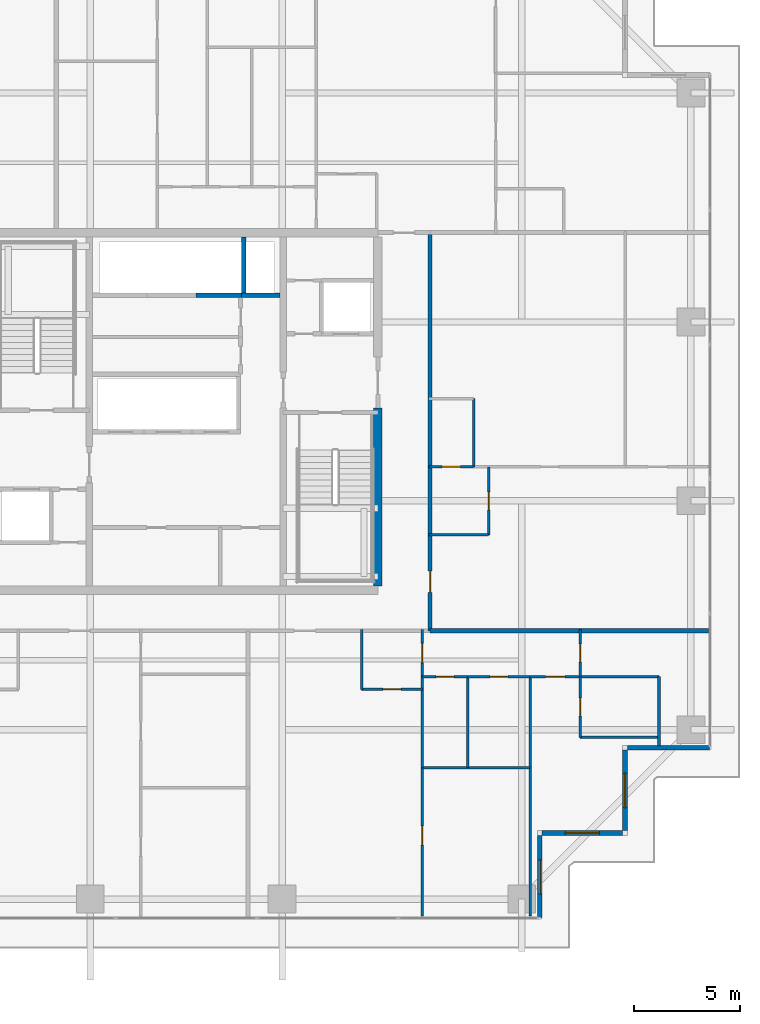
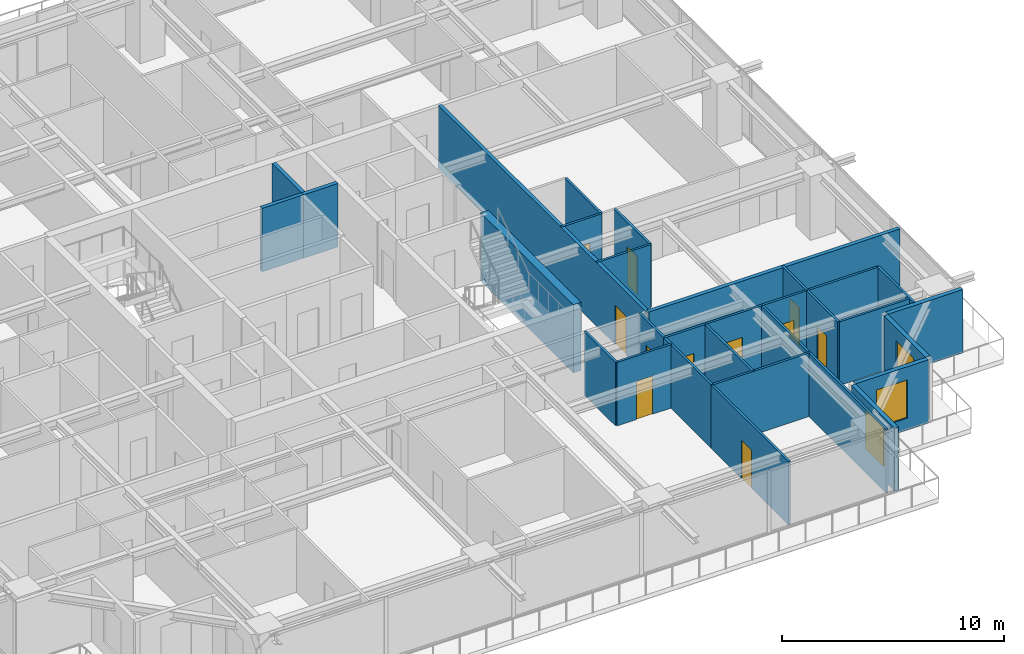
# One storey, part 28 of 37: 30 walls, 11 doors, 3 windows, 14 openings.
"""IFC4 building model written with IfcOpenShell, lengths in metres."""

from ifc_helpers import new_model, si_unit, direction, frame, frame_2d, origin, place, context, subcontext, project, spatial, rectangle, extrude, source, transform, mapped, material, layer, layer_set, type_object, element, fill, save


model = new_model("IFC4")

# Units and contexts
model_context = context("Model", 3, precision=1e-05, world=origin(), true_north=direction((0.0, 1.0)))
body_context = subcontext(model_context, "Body", "Model", "MODEL_VIEW")
ifc_project = project(units=[si_unit("LENGTHUNIT", "METRE"), si_unit("AREAUNIT", "SQUARE_METRE"), si_unit("VOLUMEUNIT", "CUBIC_METRE"), si_unit("PLANEANGLEUNIT", "RADIAN"), si_unit("MASSUNIT", "GRAM", prefix="KILO")], contexts=[model_context])

# Site, building, storey
site_placement = place(None, origin())
site = spatial("IfcSite", under=ifc_project, at=site_placement, CompositionType="ELEMENT")
building_placement = place(site_placement, origin())
building = spatial("IfcBuilding", under=site, at=building_placement, Name="Serunith Strait Residences", CompositionType="ELEMENT")
storey_placement = place(building_placement, frame((0.0, 0.0, 153.89990234375)))
storey = spatial("IfcBuildingStorey", under=building, at=storey_placement, Name="L38", CompositionType="ELEMENT", Elevation=153.89990234375)

# Wall, opening, window
ifc_material_1 = material(Name="Pale-Champagne Aluminium Insulated Panel", Category="aluminium")
ifc_layer_1 = layer(ifc_material_1, 0.219970703125, Name="Pale-Champagne Aluminium Insulated Panel")
ifc_layer_set_1 = layer_set([ifc_layer_1], Name="Pale-Champagne Aluminium Insulated Panel")
wall_type_1 = type_object("IfcWallType", Name="EW-ALUM-220", PredefinedType="ELEMENTEDWALL", material=ifc_layer_set_1)
wall_1_placement = place(storey_placement, frame((49.0, 1.39990234375, 0.0), z_axis=(0.0, 0.0, 1.0), x_axis=(0.0, 1.0, 0.0)))
wall_1 = element("IfcWall", 1, at=wall_1_placement, inside=storey, type_object=wall_type_1, Name="L38 Girih Serrated Corner Wall 02", PredefinedType="ELEMENTEDWALL", context=body_context, shape_type="SweptSolid", body=[
    extrude(rectangle(XDim=3.89013671875, YDim=0.219970703125, at=frame_2d((1.945068359375, 0.0))), origin(), (0.0, 0.0, 1.0), 3.47509765625),
])
opening_1_placement = place(wall_1_placement, frame((1.14501953125, 0.0, 0.64990234375)))
opening_1 = element("IfcOpeningElement", 2, at=opening_1_placement, cuts=wall_1, Name="Opening W-02", PredefinedType="OPENING", context=body_context, shape_type="SweptSolid", body=[
    extrude(rectangle(XDim=1.60009765625, YDim=2.10009765625, at=frame_2d((0.800048828125, 1.050048828125))), frame((0.0, 0.1201171875, 0.0), z_axis=(0.0, -1.0, 0.0), x_axis=(1.0, 0.0, 0.0)), (0.0, 0.0, 1.0), 0.239990234375),
])
ifc_material_2 = material(Name="Ceramic-Fritted Operable Aluminium Window Glass", Category="aluminium")
window_type = type_object("IfcWindowType", Name="WIN-C2", PartitioningType="DOUBLE_PANEL_VERTICAL", PredefinedType="WINDOW", material=ifc_material_2)
shared_shape_1 = source(origin(), body_context, "Body", "SweptSolid", [
    extrude(rectangle(XDim=1.60009765625, YDim=2.10009765625, at=frame_2d((0.800048828125, 1.050048828125))), frame((0.0, 0.030029296875, 0.0), z_axis=(0.0, -1.0, 0.0), x_axis=(1.0, 0.0, 0.0)), (0.0, 0.0, 1.0), 0.06005859375),
])
window_1_placement = place(opening_1_placement, origin())
window_1 = element("IfcWindow", 3, at=window_1_placement, inside=storey, type_object=window_type, Name="L38 Corner Operable Fritted Window 02", OverallHeight=2.10009765625, OverallWidth=1.60009765625, PartitioningType="SINGLE_PANEL", PredefinedType="WINDOW", context=body_context, shape_type="MappedRepresentation", body=[
    mapped(shared_shape_1, transform((0.0, 0.0, 0.0), scale=1.0)),
])
fill(opening_1, window_1)

wall_2_placement = place(storey_placement, frame((49.110107421875, 5.39990234375, 0.0), z_axis=(0.0, 0.0, 1.0), x_axis=(1.0, 0.0, 0.0)))
wall_2 = element("IfcWall", 4, at=wall_2_placement, inside=storey, type_object=wall_type_1, Name="L38 Girih Serrated Corner Wall 03", PredefinedType="ELEMENTEDWALL", context=body_context, shape_type="SweptSolid", body=[
    extrude(rectangle(XDim=3.77978515625, YDim=0.219970703125, at=frame_2d((1.889892578125, 0.0))), origin(), (0.0, 0.0, 1.0), 3.47509765625),
])
opening_2_placement = place(wall_2_placement, frame((1.090087890625, 0.0, 0.64990234375)))
opening_2 = element("IfcOpeningElement", 5, at=opening_2_placement, cuts=wall_2, Name="Opening W-02", PredefinedType="OPENING", context=body_context, shape_type="SweptSolid", body=[
    extrude(rectangle(XDim=1.60009765625, YDim=2.10009765625, at=frame_2d((0.800048828125, 1.050048828125))), frame((0.0, 0.1201171875, 0.0), z_axis=(0.0, -1.0, 0.0), x_axis=(1.0, 0.0, 0.0)), (0.0, 0.0, 1.0), 0.239990234375),
])
window_2_placement = place(opening_2_placement, origin())
window_2 = element("IfcWindow", 6, at=window_2_placement, inside=storey, type_object=window_type, Name="L38 Corner Operable Fritted Window 03", OverallHeight=2.10009765625, OverallWidth=1.60009765625, PartitioningType="SINGLE_PANEL", PredefinedType="WINDOW", context=body_context, shape_type="MappedRepresentation", body=[
    mapped(shared_shape_1, transform((0.0, 0.0, 0.0), scale=1.0)),
])
fill(opening_2, window_2)

wall_3_placement = place(storey_placement, frame((53.0, 5.510009765625, 0.0), z_axis=(0.0, 0.0, 1.0), x_axis=(0.0, 1.0, 0.0)))
wall_3 = element("IfcWall", 7, at=wall_3_placement, inside=storey, type_object=wall_type_1, Name="L38 Girih Serrated Corner Wall 04", PredefinedType="ELEMENTEDWALL", context=body_context, shape_type="SweptSolid", body=[
    extrude(rectangle(XDim=3.780029296875, YDim=0.219970703125, at=frame_2d((1.89013671875, 0.0))), origin(), (0.0, 0.0, 1.0), 3.47509765625),
])
opening_3_placement = place(wall_3_placement, frame((1.090087890625, 0.0, 0.64990234375)))
opening_3 = element("IfcOpeningElement", 8, at=opening_3_placement, cuts=wall_3, Name="Opening W-02", PredefinedType="OPENING", context=body_context, shape_type="SweptSolid", body=[
    extrude(rectangle(XDim=1.60009765625, YDim=2.10009765625, at=frame_2d((0.800048828125, 1.050048828125))), frame((0.0, 0.1201171875, 0.0), z_axis=(0.0, -1.0, 0.0), x_axis=(1.0, 0.0, 0.0)), (0.0, 0.0, 1.0), 0.239990234375),
])
window_3_placement = place(opening_3_placement, origin())
window_3 = element("IfcWindow", 9, at=window_3_placement, inside=storey, type_object=window_type, Name="L38 Corner Operable Fritted Window 04", OverallHeight=2.10009765625, OverallWidth=1.60009765625, PartitioningType="SINGLE_PANEL", PredefinedType="WINDOW", context=body_context, shape_type="MappedRepresentation", body=[
    mapped(shared_shape_1, transform((0.0, 0.0, 0.0), scale=1.0)),
])
fill(opening_3, window_3)

# Wall
wall_4_placement = place(storey_placement, frame((53.110107421875, 9.39990234375, 0.0), z_axis=(0.0, 0.0, 1.0), x_axis=(1.0, 0.0, 0.0)))
element("IfcWall", 10, at=wall_4_placement, inside=storey, type_object=wall_type_1, Name="L38 Girih Serrated Corner Wall 05", PredefinedType="ELEMENTEDWALL", context=body_context, shape_type="SweptSolid", body=[
    extrude(rectangle(XDim=3.889892578125, YDim=0.219970703125, at=frame_2d((1.94482421875, 0.0))), origin(), (0.0, 0.0, 1.0), 3.47509765625),
])

# Wall, opening, door
ifc_material_3 = material(Name="Fire-rated acoustic gypsum partition")
ifc_layer_2 = layer(ifc_material_3, 0.179931640625, Name="Fire-rated acoustic gypsum partition")
ifc_layer_set_2 = layer_set([ifc_layer_2], Name="Fire-rated acoustic gypsum partition")
wall_type_2 = type_object("IfcWallType", Name="IW-CORR-180", PredefinedType="PARTITIONING", material=ifc_layer_set_2)
wall_5_placement = place(storey_placement, frame((43.85009765625, 14.89990234375, 0.0), z_axis=(0.0, 0.0, 1.0), x_axis=(0.0, 1.0, 0.0)))
wall_5 = element("IfcWall", 11, at=wall_5_placement, inside=storey, type_object=wall_type_2, Name="L38 Partition Wall 029", PredefinedType="PARTITIONING", context=body_context, shape_type="SweptSolid", body=[
    extrude(rectangle(XDim=18.7001953125, YDim=0.179931640625, at=frame_2d((9.35009765625, 0.0))), origin(), (0.0, 0.0, 1.0), 3.489990234375),
])
opening_4_placement = place(wall_5_placement, frame((1.804931640625, 0.0, 0.0)))
opening_4 = element("IfcOpeningElement", 12, at=opening_4_placement, cuts=wall_5, Name="Opening D-APT1000", PredefinedType="OPENING", context=body_context, shape_type="SweptSolid", body=[
    extrude(rectangle(XDim=1.0, YDim=2.14990234375, at=frame_2d((0.5, 1.074951171875))), frame((0.0, 0.10009765625, 0.0), z_axis=(0.0, -1.0, 0.0), x_axis=(1.0, 0.0, 0.0)), (0.0, 0.0, 1.0), 0.199951171875),
])
ifc_material_4 = material(Name="Solid timber engineered fire door", Category="wood")
door_type_1 = type_object("IfcDoorType", Name="ID-APT-1000", OperationType="NOTDEFINED", PredefinedType="DOOR", material=ifc_material_4)
shared_shape_2 = source(origin(), body_context, "Body", "SweptSolid", [
    extrude(rectangle(XDim=1.0, YDim=2.14990234375, at=frame_2d((0.5, 1.074951171875))), frame((0.0, 0.02490234375, 0.0), z_axis=(0.0, -1.0, 0.0), x_axis=(1.0, 0.0, 0.0)), (0.0, 0.0, 1.0), 0.050048828125),
])
door_1_placement = place(opening_4_placement, origin())
door_1 = element("IfcDoor", 13, at=door_1_placement, inside=storey, type_object=door_type_1, Name="L38 Unit 07 Entrance Door", OperationType="SINGLE_SWING_RIGHT", OverallHeight=2.14990234375, OverallWidth=1.0, PredefinedType="DOOR", context=body_context, shape_type="MappedRepresentation", body=[
    mapped(shared_shape_2, transform((0.0, 0.0, 0.0), scale=1.0)),
])
fill(opening_4, door_1)

ifc_material_5 = material(Name="Lightweight steel-stud gypsum partition", Category="steel")
ifc_layer_3 = layer(ifc_material_5, 0.1201171875, Name="Lightweight steel-stud gypsum partition")
ifc_layer_set_3 = layer_set([ifc_layer_3], Name="Lightweight steel-stud gypsum partition")
wall_type_3 = type_object("IfcWallType", Name="IW-PART-120", PredefinedType="PARTITIONING", material=ifc_layer_set_3)
wall_6_placement = place(storey_placement, frame((40.639892578125, 12.14990234375, 0.0), z_axis=(0.0, 0.0, 1.0), x_axis=(1.0, 0.0, 0.0)))
wall_6 = element("IfcWall", 14, at=wall_6_placement, inside=storey, type_object=wall_type_3, Name="L38 Partition Wall 053", PredefinedType="PARTITIONING", context=body_context, shape_type="SweptSolid", body=[
    extrude(rectangle(XDim=2.85009765625, YDim=0.1201171875, at=frame_2d((1.425048828125, 0.0))), origin(), (0.0, 0.0, 1.0), 3.489990234375),
])
opening_5_placement = place(wall_6_placement, frame((1.0, 0.0, 0.0)))
opening_5 = element("IfcOpeningElement", 15, at=opening_5_placement, cuts=wall_6, Name="Opening D-RM850", PredefinedType="OPENING", context=body_context, shape_type="SweptSolid", body=[
    extrude(rectangle(XDim=0.85009765625, YDim=2.10009765625, at=frame_2d((0.425048828125, 1.050048828125))), frame((0.0, 0.070068359375, 0.0), z_axis=(0.0, -1.0, 0.0), x_axis=(1.0, 0.0, 0.0)), (0.0, 0.0, 1.0), 0.14013671875),
])
ifc_material_6 = material(Name="Engineered timber flush study and kitchen door", Category="wood")
door_type_2 = type_object("IfcDoorType", Name="ID-ROOM-850", OperationType="NOTDEFINED", PredefinedType="DOOR", material=ifc_material_6)
shared_shape_3 = source(origin(), body_context, "Body", "SweptSolid", [
    extrude(rectangle(XDim=0.85009765625, YDim=2.10009765625, at=frame_2d((0.425048828125, 1.050048828125))), frame((0.0, 0.02490234375, 0.0), z_axis=(0.0, -1.0, 0.0), x_axis=(1.0, 0.0, 0.0)), (0.0, 0.0, 1.0), 0.050048828125),
])
door_2_placement = place(opening_5_placement, origin())
door_2 = element("IfcDoor", 16, at=door_2_placement, inside=storey, type_object=door_type_2, Name="L38 Kitchen 3802 Door", OperationType="SINGLE_SWING_RIGHT", OverallHeight=2.10009765625, OverallWidth=0.85009765625, PredefinedType="DOOR", context=body_context, shape_type="MappedRepresentation", body=[
    mapped(shared_shape_3, transform((0.0, 0.0, 0.0), scale=1.0)),
])
fill(opening_5, door_2)

# Wall
wall_7_placement = place(storey_placement, frame((40.639892578125, 12.14990234375, 0.0), z_axis=(0.0, 0.0, 1.0), x_axis=(0.0, 1.0, 0.0)))
element("IfcWall", 17, at=wall_7_placement, inside=storey, type_object=wall_type_3, Name="L38 Partition Wall 054", PredefinedType="PARTITIONING", context=body_context, shape_type="SweptSolid", body=[
    extrude(rectangle(XDim=2.81005859375, YDim=0.1201171875, at=frame_2d((1.405029296875, 0.0))), origin(), (0.0, 0.0, 1.0), 3.489990234375),
])

# Wall, opening, door
wall_8_placement = place(storey_placement, frame((43.489990234375, 12.75, 0.0), z_axis=(0.0, 0.0, 1.0), x_axis=(0.0, 1.0, 0.0)))
wall_8 = element("IfcWall", 18, at=wall_8_placement, inside=storey, type_object=wall_type_3, Name="L38 Partition Wall 055", PredefinedType="PARTITIONING", context=body_context, shape_type="SweptSolid", body=[
    extrude(rectangle(XDim=2.2099609375, YDim=0.1201171875, at=frame_2d((1.10498046875, 0.0))), origin(), (0.0, 0.0, 1.0), 3.489990234375),
])
opening_6_placement = place(wall_8_placement, frame((0.655029296875, 0.0, 0.0)))
opening_6 = element("IfcOpeningElement", 19, at=opening_6_placement, cuts=wall_8, Name="Opening D-RM900", PredefinedType="OPENING", context=body_context, shape_type="SweptSolid", body=[
    extrude(rectangle(XDim=0.89990234375, YDim=2.10009765625, at=frame_2d((0.449951171875, 1.050048828125))), frame((0.0, 0.070068359375, 0.0), z_axis=(0.0, -1.0, 0.0), x_axis=(1.0, 0.0, 0.0)), (0.0, 0.0, 1.0), 0.14013671875),
])
ifc_material_7 = material(Name="Engineered timber flush bedroom door", Category="wood")
door_type_3 = type_object("IfcDoorType", Name="ID-ROOM-900", OperationType="NOTDEFINED", PredefinedType="DOOR", material=ifc_material_7)
shared_shape_4 = source(origin(), body_context, "Body", "SweptSolid", [
    extrude(rectangle(XDim=0.89990234375, YDim=2.10009765625, at=frame_2d((0.449951171875, 1.050048828125))), frame((0.0, 0.02490234375, 0.0), z_axis=(0.0, -1.0, 0.0), x_axis=(1.0, 0.0, 0.0)), (0.0, 0.0, 1.0), 0.050048828125),
])
door_3_placement = place(opening_6_placement, origin())
door_3 = element("IfcDoor", 20, at=door_3_placement, inside=storey, type_object=door_type_3, Name="L38 Hall E 3802 Door", OperationType="SINGLE_SWING_LEFT", OverallHeight=2.10009765625, OverallWidth=0.89990234375, PredefinedType="DOOR", context=body_context, shape_type="MappedRepresentation", body=[
    mapped(shared_shape_4, transform((0.0, 0.0, 0.0), scale=1.0)),
])
fill(opening_6, door_3)

wall_9_placement = place(storey_placement, frame((43.489990234375, 1.4951171875, 0.0), z_axis=(0.0, 0.0, 1.0), x_axis=(0.0, 1.0, 0.0)))
wall_9 = element("IfcWall", 21, at=wall_9_placement, inside=storey, type_object=wall_type_3, Name="L38 Partition Wall 056", PredefinedType="PARTITIONING", context=body_context, shape_type="SweptSolid", body=[
    extrude(rectangle(XDim=6.975830078125, YDim=0.1201171875, at=frame_2d((3.48779296875, 0.0))), origin(), (0.0, 0.0, 1.0), 3.489990234375),
])
opening_7_placement = place(wall_9_placement, frame((3.342041015625, 0.0, 0.0)))
opening_7 = element("IfcOpeningElement", 22, at=opening_7_placement, cuts=wall_9, Name="Opening D-RM900", PredefinedType="OPENING", context=body_context, shape_type="SweptSolid", body=[
    extrude(rectangle(XDim=0.89990234375, YDim=2.10009765625, at=frame_2d((0.449951171875, 1.050048828125))), frame((0.0, 0.070068359375, 0.0), z_axis=(0.0, -1.0, 0.0), x_axis=(1.0, 0.0, 0.0)), (0.0, 0.0, 1.0), 0.14013671875),
])
door_4_placement = place(opening_7_placement, origin())
door_4 = element("IfcDoor", 23, at=door_4_placement, inside=storey, type_object=door_type_3, Name="L38 Formal Dining Room 1 3802 Door", OperationType="SINGLE_SWING_RIGHT", OverallHeight=2.10009765625, OverallWidth=0.89990234375, PredefinedType="DOOR", context=body_context, shape_type="MappedRepresentation", body=[
    mapped(shared_shape_4, transform((0.0, 0.0, 0.0), scale=1.0)),
])
fill(opening_7, door_4)

# Walls
wall_10_placement = place(storey_placement, frame((43.489990234375, 8.472900390625, 0.0), z_axis=(0.0, 0.0, 1.0), x_axis=(0.0, 1.0, 0.0)))
element("IfcWall", 24, at=wall_10_placement, inside=storey, type_object=wall_type_3, Name="L38 Partition Wall 057", PredefinedType="PARTITIONING", context=body_context, shape_type="SweptSolid", body=[
    extrude(rectangle(XDim=4.275146484375, YDim=0.1201171875, at=frame_2d((2.1376953125, 0.0))), origin(), (0.0, 0.0, 1.0), 3.489990234375),
])
wall_11_placement = place(storey_placement, frame((43.489990234375, 8.470947265625, 0.0), z_axis=(0.0, 0.0, 1.0), x_axis=(1.0, 0.0, 0.0)))
element("IfcWall", 25, at=wall_11_placement, inside=storey, type_object=wall_type_3, Name="L38 Partition Wall 058", PredefinedType="PARTITIONING", context=body_context, shape_type="SweptSolid", body=[
    extrude(rectangle(XDim=5.06005859375, YDim=0.1201171875, at=frame_2d((2.530029296875, 0.0))), origin(), (0.0, 0.0, 1.0), 3.489990234375),
])
wall_12_placement = place(storey_placement, frame((48.550048828125, 1.4951171875, 0.0), z_axis=(0.0, 0.0, 1.0), x_axis=(0.0, 1.0, 0.0)))
element("IfcWall", 26, at=wall_12_placement, inside=storey, type_object=wall_type_3, Name="L38 Partition Wall 059", PredefinedType="PARTITIONING", context=body_context, shape_type="SweptSolid", body=[
    extrude(rectangle(XDim=11.2548828125, YDim=0.1201171875, at=frame_2d((5.62744140625, 0.0))), origin(), (0.0, 0.0, 1.0), 3.489990234375),
])
wall_13_placement = place(storey_placement, frame((45.614990234375, 8.470947265625, 0.0), z_axis=(0.0, 0.0, 1.0), x_axis=(0.0, 1.0, 0.0)))
element("IfcWall", 27, at=wall_13_placement, inside=storey, type_object=wall_type_3, Name="L38 Partition Wall 060", PredefinedType="PARTITIONING", context=body_context, shape_type="SweptSolid", body=[
    extrude(rectangle(XDim=4.279052734375, YDim=0.1201171875, at=frame_2d((2.1396484375, 0.0))), origin(), (0.0, 0.0, 1.0), 3.489990234375),
])

# Wall, opening, door
wall_14_placement = place(storey_placement, frame((43.489990234375, 12.75, 0.0), z_axis=(0.0, 0.0, 1.0), x_axis=(1.0, 0.0, 0.0)))
wall_14 = element("IfcWall", 28, at=wall_14_placement, inside=storey, type_object=wall_type_3, Name="L38 Partition Wall 061", PredefinedType="PARTITIONING", context=body_context, shape_type="SweptSolid", body=[
    extrude(rectangle(XDim=2.125, YDim=0.1201171875, at=frame_2d((1.0625, 0.0))), origin(), (0.0, 0.0, 1.0), 3.489990234375),
])
opening_8_placement = place(wall_14_placement, frame((0.636962890625, 0.0, 0.0)))
opening_8 = element("IfcOpeningElement", 29, at=opening_8_placement, cuts=wall_14, Name="Opening D-BTH850", PredefinedType="OPENING", context=body_context, shape_type="SweptSolid", body=[
    extrude(rectangle(XDim=0.85009765625, YDim=2.10009765625, at=frame_2d((0.425048828125, 1.050048828125))), frame((0.0, 0.070068359375, 0.0), z_axis=(0.0, -1.0, 0.0), x_axis=(1.0, 0.0, 0.0)), (0.0, 0.0, 1.0), 0.14013671875),
])
ifc_material_8 = material(Name="Moisture-resistant timber bathroom door", Category="wood")
door_type_4 = type_object("IfcDoorType", Name="ID-BATH-850", OperationType="NOTDEFINED", PredefinedType="DOOR", material=ifc_material_8)
door_5_placement = place(opening_8_placement, origin())
door_5 = element("IfcDoor", 30, at=door_5_placement, inside=storey, type_object=door_type_4, Name="L38 Bathroom 3802 Door", OperationType="SINGLE_SWING_LEFT", OverallHeight=2.10009765625, OverallWidth=0.85009765625, PredefinedType="DOOR", context=body_context, shape_type="MappedRepresentation", body=[
    mapped(shared_shape_3, transform((0.0, 0.0, 0.0), scale=1.0)),
])
fill(opening_8, door_5)

wall_15_placement = place(storey_placement, frame((45.616943359375, 12.75, 0.0), z_axis=(0.0, 0.0, 1.0), x_axis=(1.0, 0.0, 0.0)))
wall_15 = element("IfcWall", 31, at=wall_15_placement, inside=storey, type_object=wall_type_3, Name="L38 Partition Wall 062", PredefinedType="PARTITIONING", context=body_context, shape_type="SweptSolid", body=[
    extrude(rectangle(XDim=2.93310546875, YDim=0.1201171875, at=frame_2d((1.466552734375, 0.0))), origin(), (0.0, 0.0, 1.0), 3.489990234375),
])
opening_9_placement = place(wall_15_placement, frame((1.041015625, 0.0, 0.0)))
opening_9 = element("IfcOpeningElement", 32, at=opening_9_placement, cuts=wall_15, Name="Opening D-RM850", PredefinedType="OPENING", context=body_context, shape_type="SweptSolid", body=[
    extrude(rectangle(XDim=0.85009765625, YDim=2.10009765625, at=frame_2d((0.425048828125, 1.050048828125))), frame((0.0, 0.070068359375, 0.0), z_axis=(0.0, -1.0, 0.0), x_axis=(1.0, 0.0, 0.0)), (0.0, 0.0, 1.0), 0.14013671875),
])
door_6_placement = place(opening_9_placement, origin())
door_6 = element("IfcDoor", 33, at=door_6_placement, inside=storey, type_object=door_type_2, Name="L38 Laundry Room 3802 Door", OperationType="SINGLE_SWING_RIGHT", OverallHeight=2.10009765625, OverallWidth=0.85009765625, PredefinedType="DOOR", context=body_context, shape_type="MappedRepresentation", body=[
    mapped(shared_shape_3, transform((0.0, 0.0, 0.0), scale=1.0)),
])
fill(opening_9, door_6)

wall_16_placement = place(storey_placement, frame((48.552001953125, 12.75, 0.0), z_axis=(0.0, 0.0, 1.0), x_axis=(1.0, 0.0, 0.0)))
wall_16 = element("IfcWall", 34, at=wall_16_placement, inside=storey, type_object=wall_type_3, Name="L38 Partition Wall 063", PredefinedType="PARTITIONING", context=body_context, shape_type="SweptSolid", body=[
    extrude(rectangle(XDim=2.347900390625, YDim=0.1201171875, at=frame_2d((1.173828125, 0.0))), origin(), (0.0, 0.0, 1.0), 3.489990234375),
])
opening_10_placement = place(wall_16_placement, frame((0.72412109375, 0.0, 0.0)))
opening_10 = element("IfcOpeningElement", 35, at=opening_10_placement, cuts=wall_16, Name="Opening D-RM900", PredefinedType="OPENING", context=body_context, shape_type="SweptSolid", body=[
    extrude(rectangle(XDim=0.89990234375, YDim=2.10009765625, at=frame_2d((0.449951171875, 1.050048828125))), frame((0.0, 0.070068359375, 0.0), z_axis=(0.0, -1.0, 0.0), x_axis=(1.0, 0.0, 0.0)), (0.0, 0.0, 1.0), 0.14013671875),
])
door_7_placement = place(opening_10_placement, origin())
door_7 = element("IfcDoor", 36, at=door_7_placement, inside=storey, type_object=door_type_3, Name="L38 Master Bedroom E 3802 Door", OperationType="SINGLE_SWING_LEFT", OverallHeight=2.10009765625, OverallWidth=0.89990234375, PredefinedType="DOOR", context=body_context, shape_type="MappedRepresentation", body=[
    mapped(shared_shape_4, transform((0.0, 0.0, 0.0), scale=1.0)),
])
fill(opening_10, door_7)

# Walls
wall_17_placement = place(storey_placement, frame((50.89990234375, 9.89501953125, 0.0), z_axis=(0.0, 0.0, 1.0), x_axis=(1.0, 0.0, 0.0)))
element("IfcWall", 37, at=wall_17_placement, inside=storey, type_object=wall_type_3, Name="L38 Partition Wall 064", PredefinedType="PARTITIONING", context=body_context, shape_type="SweptSolid", body=[
    extrude(rectangle(XDim=3.7001953125, YDim=0.1201171875, at=frame_2d((1.85009765625, 0.0))), origin(), (0.0, 0.0, 1.0), 3.489990234375),
])
wall_18_placement = place(storey_placement, frame((54.60009765625, 9.4951171875, 0.0), z_axis=(0.0, 0.0, 1.0), x_axis=(0.0, 1.0, 0.0)))
element("IfcWall", 38, at=wall_18_placement, inside=storey, type_object=wall_type_3, Name="L38 Partition Wall 065", PredefinedType="PARTITIONING", context=body_context, shape_type="SweptSolid", body=[
    extrude(rectangle(XDim=3.2548828125, YDim=0.1201171875, at=frame_2d((1.62744140625, 0.0))), origin(), (0.0, 0.0, 1.0), 3.489990234375),
])
wall_19_placement = place(storey_placement, frame((50.902099609375, 12.75, 0.0), z_axis=(0.0, 0.0, 1.0), x_axis=(1.0, 0.0, 0.0)))
element("IfcWall", 39, at=wall_19_placement, inside=storey, type_object=wall_type_3, Name="L38 Partition Wall 066", PredefinedType="PARTITIONING", context=body_context, shape_type="SweptSolid", body=[
    extrude(rectangle(XDim=3.697998046875, YDim=0.1201171875, at=frame_2d((1.84912109375, 0.0))), origin(), (0.0, 0.0, 1.0), 3.489990234375),
])

# Wall, opening, door
wall_20_placement = place(storey_placement, frame((50.89990234375, 9.89501953125, 0.0), z_axis=(0.0, 0.0, 1.0), x_axis=(0.0, 1.0, 0.0)))
wall_20 = element("IfcWall", 40, at=wall_20_placement, inside=storey, type_object=wall_type_3, Name="L38 Partition Wall 067", PredefinedType="PARTITIONING", context=body_context, shape_type="SweptSolid", body=[
    extrude(rectangle(XDim=2.85498046875, YDim=0.1201171875, at=frame_2d((1.427490234375, 0.0))), origin(), (0.0, 0.0, 1.0), 3.489990234375),
])
opening_11_placement = place(wall_20_placement, frame((1.0029296875, 0.0, 0.0)))
opening_11 = element("IfcOpeningElement", 41, at=opening_11_placement, cuts=wall_20, Name="Opening D-BTH850", PredefinedType="OPENING", context=body_context, shape_type="SweptSolid", body=[
    extrude(rectangle(XDim=0.85009765625, YDim=2.10009765625, at=frame_2d((0.425048828125, 1.050048828125))), frame((0.0, 0.070068359375, 0.0), z_axis=(0.0, -1.0, 0.0), x_axis=(1.0, 0.0, 0.0)), (0.0, 0.0, 1.0), 0.14013671875),
])
door_8_placement = place(opening_11_placement, origin())
door_8 = element("IfcDoor", 42, at=door_8_placement, inside=storey, type_object=door_type_4, Name="L38 En-suite Bathroom E 3802 Door", OperationType="SINGLE_SWING_RIGHT", OverallHeight=2.10009765625, OverallWidth=0.85009765625, PredefinedType="DOOR", context=body_context, shape_type="MappedRepresentation", body=[
    mapped(shared_shape_3, transform((0.0, 0.0, 0.0), scale=1.0)),
])
fill(opening_11, door_8)

wall_21_placement = place(storey_placement, frame((50.89990234375, 12.751953125, 0.0), z_axis=(0.0, 0.0, 1.0), x_axis=(0.0, 1.0, 0.0)))
wall_21 = element("IfcWall", 43, at=wall_21_placement, inside=storey, type_object=wall_type_3, Name="L38 Partition Wall 068", PredefinedType="PARTITIONING", context=body_context, shape_type="SweptSolid", body=[
    extrude(rectangle(XDim=2.2080078125, YDim=0.1201171875, at=frame_2d((1.10400390625, 0.0))), origin(), (0.0, 0.0, 1.0), 3.489990234375),
])
opening_12_placement = place(wall_21_placement, frame((0.678955078125, 0.0, 0.0)))
opening_12 = element("IfcOpeningElement", 44, at=opening_12_placement, cuts=wall_21, Name="Opening D-RM850", PredefinedType="OPENING", context=body_context, shape_type="SweptSolid", body=[
    extrude(rectangle(XDim=0.85009765625, YDim=2.10009765625, at=frame_2d((0.425048828125, 1.050048828125))), frame((0.0, 0.070068359375, 0.0), z_axis=(0.0, -1.0, 0.0), x_axis=(1.0, 0.0, 0.0)), (0.0, 0.0, 1.0), 0.14013671875),
])
door_9_placement = place(opening_12_placement, origin())
door_9 = element("IfcDoor", 45, at=door_9_placement, inside=storey, type_object=door_type_2, Name="L38 Wardrobe E 3802 Door", OperationType="SINGLE_SWING_LEFT", OverallHeight=2.10009765625, OverallWidth=0.85009765625, PredefinedType="DOOR", context=body_context, shape_type="MappedRepresentation", body=[
    mapped(shared_shape_3, transform((0.0, 0.0, 0.0), scale=1.0)),
])
fill(opening_12, door_9)

wall_22_placement = place(storey_placement, frame((46.60009765625, 19.39990234375, 0.0), z_axis=(0.0, 0.0, 1.0), x_axis=(0.0, 1.0, 0.0)))
wall_22 = element("IfcWall", 46, at=wall_22_placement, inside=storey, type_object=wall_type_3, Name="L38 Partition Wall 113", PredefinedType="PARTITIONING", context=body_context, shape_type="SweptSolid", body=[
    extrude(rectangle(XDim=3.2001953125, YDim=0.1201171875, at=frame_2d((1.60009765625, 0.0))), origin(), (0.0, 0.0, 1.0), 3.489990234375),
])
opening_13_placement = place(wall_22_placement, frame((1.175048828125, 0.0, 0.0)))
opening_13 = element("IfcOpeningElement", 47, at=opening_13_placement, cuts=wall_22, Name="Opening D-RM850", PredefinedType="OPENING", context=body_context, shape_type="SweptSolid", body=[
    extrude(rectangle(XDim=0.85009765625, YDim=2.10009765625, at=frame_2d((0.425048828125, 1.050048828125))), frame((0.0, 0.070068359375, 0.0), z_axis=(0.0, -1.0, 0.0), x_axis=(1.0, 0.0, 0.0)), (0.0, 0.0, 1.0), 0.14013671875),
])
door_10_placement = place(opening_13_placement, origin())
door_10 = element("IfcDoor", 48, at=door_10_placement, inside=storey, type_object=door_type_2, Name="L38 Kitchen 3807 Door", OperationType="SINGLE_SWING_LEFT", OverallHeight=2.10009765625, OverallWidth=0.85009765625, PredefinedType="DOOR", context=body_context, shape_type="MappedRepresentation", body=[
    mapped(shared_shape_3, transform((0.0, 0.0, 0.0), scale=1.0)),
])
fill(opening_13, door_10)

# Walls
wall_23_placement = place(storey_placement, frame((46.60009765625, 19.39990234375, 0.0), z_axis=(0.0, 0.0, 1.0), x_axis=(-1.0, 0.0, 0.0)))
element("IfcWall", 49, at=wall_23_placement, inside=storey, type_object=wall_type_3, Name="L38 Partition Wall 114", PredefinedType="PARTITIONING", context=body_context, shape_type="SweptSolid", body=[
    extrude(rectangle(XDim=2.81005859375, YDim=0.1201171875, at=frame_2d((1.405029296875, 0.0))), origin(), (0.0, 0.0, 1.0), 3.489990234375),
])
wall_24_placement = place(storey_placement, frame((45.89990234375, 22.60009765625, 0.0), z_axis=(0.0, 0.0, 1.0), x_axis=(0.0, 1.0, 0.0)))
element("IfcWall", 50, at=wall_24_placement, inside=storey, type_object=wall_type_3, Name="L38 Partition Wall 117", PredefinedType="PARTITIONING", context=body_context, shape_type="SweptSolid", body=[
    extrude(rectangle(XDim=3.199951171875, YDim=0.1201171875, at=frame_2d((1.60009765625, 0.0))), origin(), (0.0, 0.0, 1.0), 3.489990234375),
])

# Wall, opening, door
wall_25_placement = place(storey_placement, frame((45.89794921875, 22.60009765625, 0.0), z_axis=(0.0, 0.0, 1.0), x_axis=(-1.0, 0.0, 0.0)))
wall_25 = element("IfcWall", 51, at=wall_25_placement, inside=storey, type_object=wall_type_3, Name="L38 Partition Wall 120", PredefinedType="PARTITIONING", context=body_context, shape_type="SweptSolid", body=[
    extrude(rectangle(XDim=2.10791015625, YDim=0.1201171875, at=frame_2d((1.053955078125, 0.0))), origin(), (0.0, 0.0, 1.0), 3.489990234375),
])
opening_14_placement = place(wall_25_placement, frame((0.62890625, 0.0, 0.0)))
opening_14 = element("IfcOpeningElement", 52, at=opening_14_placement, cuts=wall_25, Name="Opening D-BTH850", PredefinedType="OPENING", context=body_context, shape_type="SweptSolid", body=[
    extrude(rectangle(XDim=0.85009765625, YDim=2.10009765625, at=frame_2d((0.425048828125, 1.050048828125))), frame((0.0, 0.070068359375, 0.0), z_axis=(0.0, -1.0, 0.0), x_axis=(1.0, 0.0, 0.0)), (0.0, 0.0, 1.0), 0.14013671875),
])
door_11_placement = place(opening_14_placement, origin())
door_11 = element("IfcDoor", 53, at=door_11_placement, inside=storey, type_object=door_type_4, Name="L38 Bathroom 3807 Door", OperationType="SINGLE_SWING_RIGHT", OverallHeight=2.10009765625, OverallWidth=0.85009765625, PredefinedType="DOOR", context=body_context, shape_type="MappedRepresentation", body=[
    mapped(shared_shape_3, transform((0.0, 0.0, 0.0), scale=1.0)),
])
fill(opening_14, door_11)

# Walls
ifc_material_9 = material(Name="Twin-stud acoustic gypsum board partition")
ifc_layer_4 = layer(ifc_material_9, 0.199951171875, Name="Twin-stud acoustic gypsum board partition")
ifc_layer_set_4 = layer_set([ifc_layer_4], Name="Twin-stud acoustic gypsum board partition")
wall_type_4 = type_object("IfcWallType", Name="IW-PARTY-200", PredefinedType="PARTITIONING", material=ifc_layer_set_4)
wall_26_placement = place(storey_placement, frame((43.85009765625, 14.89990234375, 0.0), z_axis=(0.0, 0.0, 1.0), x_axis=(1.0, 0.0, 0.0)))
element("IfcWall", 54, at=wall_26_placement, inside=storey, type_object=wall_type_4, Name="L38 Partition Wall 024", PredefinedType="PARTITIONING", context=body_context, shape_type="SweptSolid", body=[
    extrude(rectangle(XDim=13.06787109375, YDim=0.199951171875, at=frame_2d((6.533935546875, 0.0))), origin(), (0.0, 0.0, 1.0), 3.489990234375),
])
ifc_material_10 = material(Name="Autoclaved aerated concrete blockwork", Category="masonry")
ifc_layer_5 = layer(ifc_material_10, 0.199951171875, Name="Autoclaved aerated concrete blockwork")
ifc_layer_set_5 = layer_set([ifc_layer_5], Name="Autoclaved aerated concrete blockwork")
wall_type_5 = type_object("IfcWallType", Name="IW-SHAFT-200", PredefinedType="STANDARD", material=ifc_layer_set_5)
wall_27_placement = place(storey_placement, frame((32.85009765625, 30.64990234375, 0.0), z_axis=(0.0, 0.0, 1.0), x_axis=(1.0, 0.0, 0.0)))
element("IfcWall", 55, at=wall_27_placement, inside=storey, type_object=wall_type_5, Name="L38 PL-9 South Shaft Wall", PredefinedType="STANDARD", context=body_context, shape_type="SweptSolid", body=[
    extrude(rectangle(XDim=2.14990234375, YDim=0.199951171875, at=frame_2d((1.074951171875, 0.0))), origin(), (0.0, 0.0, 1.0), 3.489990234375),
])
wall_28_placement = place(storey_placement, frame((35.0, 30.64990234375, 0.0), z_axis=(0.0, 0.0, 1.0), x_axis=(1.0, 0.0, 0.0)))
element("IfcWall", 56, at=wall_28_placement, inside=storey, type_object=wall_type_5, Name="L38 SL-1 South Shaft Wall", PredefinedType="STANDARD", context=body_context, shape_type="SweptSolid", body=[
    extrude(rectangle(XDim=1.800048828125, YDim=0.199951171875, at=frame_2d((0.89990234375, 0.0))), origin(), (0.0, 0.0, 1.0), 3.489990234375),
])
wall_29_placement = place(storey_placement, frame((35.10009765625, 30.75, 0.0), z_axis=(0.0, 0.0, 1.0), x_axis=(0.0, 1.0, 0.0)))
element("IfcWall", 57, at=wall_29_placement, inside=storey, type_object=wall_type_5, Name="L38 SL-1 West Shaft Wall", PredefinedType="STANDARD", context=body_context, shape_type="SweptSolid", body=[
    extrude(rectangle(XDim=2.64990234375, YDim=0.199951171875, at=frame_2d((1.324951171875, 0.0))), origin(), (0.0, 0.0, 1.0), 3.489990234375),
])
ifc_material_11 = material(Name="Concrete C70/85", Category="concrete")
ifc_layer_6 = layer(ifc_material_11, 0.39990234375, Name="Concrete C70/85")
ifc_layer_set_6 = layer_set([ifc_layer_6], Name="Concrete C70/85")
wall_type_6 = type_object("IfcWallType", Name="SW-400-C70", PredefinedType="SHEAR", material=ifc_layer_set_6)
wall_30_placement = place(storey_placement, frame((41.39990234375, 17.0, -0.260009765625), z_axis=(0.0, 0.0, 1.0), x_axis=(0.0, 1.0, 0.0)))
element("IfcWall", 58, at=wall_30_placement, inside=storey, type_object=wall_type_6, Name="L38 Core East Shear Wall South Pier", PredefinedType="SHEAR", context=body_context, shape_type="SweptSolid", body=[
    extrude(rectangle(XDim=8.35009765625, YDim=0.39990234375, at=frame_2d((4.175048828125, 0.0))), origin(), (0.0, 0.0, 1.0), 3.748046875),
])

save(model, "model.ifc")
